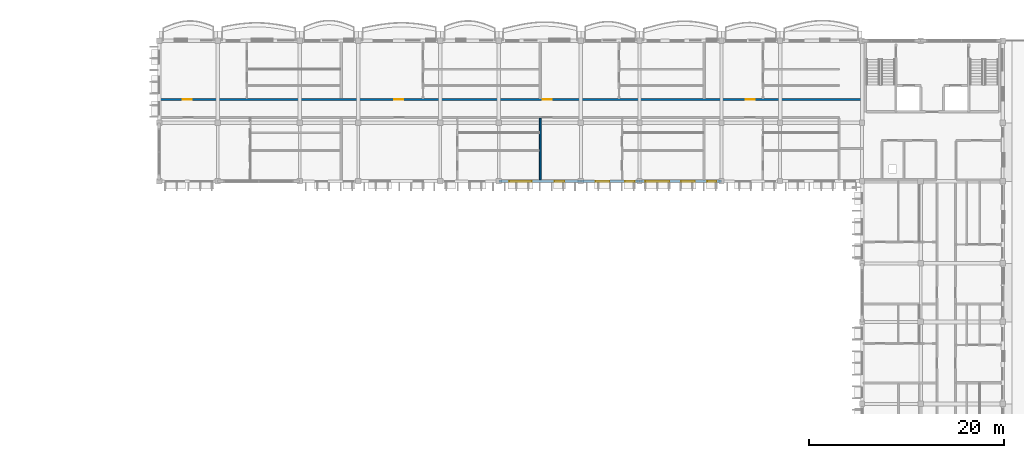
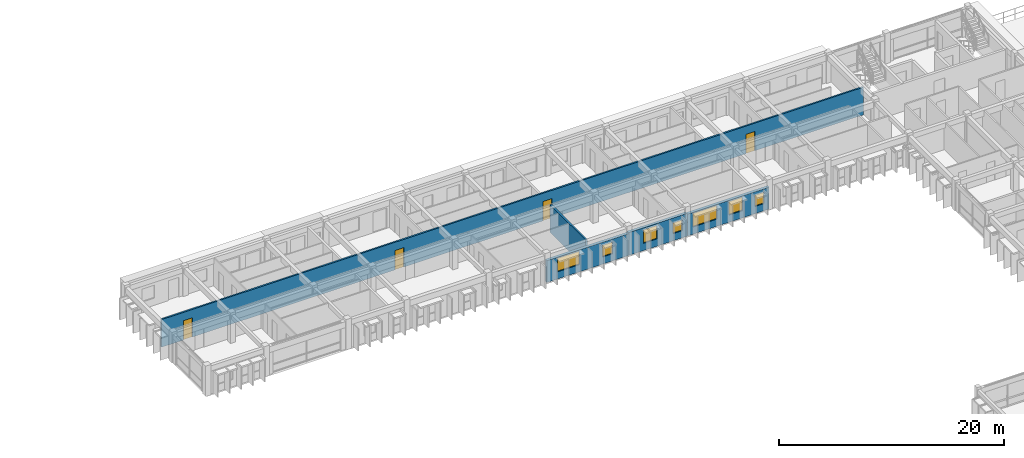
# One storey, part 35 of 68: 7 windows, 5 walls, 4 doors, 11 openings.
"""IFC4 building model written with IfcOpenShell, lengths in metres."""

from ifc_helpers import new_model, si_unit, direction, frame, frame_2d, origin, place, context, subcontext, project, spatial, rectangle, extrude, material, layer, layer_set, type_object, element, fill, save


model = new_model("IFC4")

# Units and contexts
model_context = context("Model", 3, precision=1e-05, world=origin(), true_north=direction((0.0, 1.0)))
body_context = subcontext(model_context, "Body", "Model", "MODEL_VIEW")
ifc_project = project(units=[si_unit("LENGTHUNIT", "METRE"), si_unit("AREAUNIT", "SQUARE_METRE"), si_unit("VOLUMEUNIT", "CUBIC_METRE"), si_unit("PLANEANGLEUNIT", "RADIAN"), si_unit("MASSUNIT", "GRAM", prefix="KILO"), si_unit("THERMODYNAMICTEMPERATUREUNIT", "KELVIN")], contexts=[model_context])

# Site, building, storey
site_placement = place(None, origin())
site = spatial("IfcSite", under=ifc_project, at=site_placement, CompositionType="ELEMENT")
building_placement = place(site_placement, origin())
building = spatial("IfcBuilding", under=site, at=building_placement, Name="Thalorik Housing Commons", CompositionType="ELEMENT")
storey_placement = place(building_placement, frame((0.0, 0.0, 24.60009765625)))
storey = spatial("IfcBuildingStorey", under=building, at=storey_placement, Name="L07", CompositionType="ELEMENT", Elevation=24.60009765625)

# Wall, openings, doors
ifc_material_1 = material(Name="Masonry fire-rated corridor wall", Category="masonry")
ifc_layer_1 = layer(ifc_material_1, 0.1650390625, Name="Masonry fire-rated corridor wall", Category="masonry")
ifc_layer_set_1 = layer_set([ifc_layer_1], Name="Masonry fire-rated corridor wall")
wall_type_1 = type_object("IfcWallType", Name="ARC-WAL-CORR-165", PredefinedType="PARTITIONING", material=ifc_layer_set_1)
wall_1_placement = place(storey_placement, frame((80.547119140625, 117.580078125, 0.0), z_axis=(0.0, 0.0, 1.0), x_axis=(1.0, 0.0, 0.0)))
wall_1 = element("IfcWall", 1, at=wall_1_placement, inside=storey, type_object=wall_type_1, Name="L07 Block B N Corridor Wall 2", PredefinedType="PARTITIONING", context=body_context, shape_type="SweptSolid", body=[
    extrude(rectangle(XDim=71.992919921875, YDim=0.1650390625, at=frame_2d((35.99658203125, 0.0))), origin(), (0.0, 0.0, 1.0), 3.0),
])
opening_1_placement = place(wall_1_placement, frame((2.261962890625, 0.0, 0.0)))
opening_1 = element("IfcOpeningElement", 2, at=opening_1_placement, cuts=wall_1, Name="Opening ID-1306", PredefinedType="OPENING", context=body_context, shape_type="SweptSolid", body=[
    extrude(rectangle(XDim=0.919921875, YDim=2.10009765625, at=frame_2d((0.4599609375, 1.050048828125))), frame((0.0, 0.092529296875, 0.0), z_axis=(0.0, -1.0, 0.0), x_axis=(1.0, 0.0, 0.0)), (0.0, 0.0, 1.0), 0.18505859375),
])
opening_2_placement = place(wall_1_placement, frame((23.94482421875, 0.0, 0.0)))
opening_2 = element("IfcOpeningElement", 3, at=opening_2_placement, cuts=wall_1, Name="Opening ID-1307", PredefinedType="OPENING", context=body_context, shape_type="SweptSolid", body=[
    extrude(rectangle(XDim=0.919921875, YDim=2.10009765625, at=frame_2d((0.4599609375, 1.050048828125))), frame((0.0, 0.092529296875, 0.0), z_axis=(0.0, -1.0, 0.0), x_axis=(1.0, 0.0, 0.0)), (0.0, 0.0, 1.0), 0.18505859375),
])
opening_3_placement = place(wall_1_placement, frame((39.133056640625, 0.0, 0.0)))
opening_3 = element("IfcOpeningElement", 4, at=opening_3_placement, cuts=wall_1, Name="Opening ID-1308", PredefinedType="OPENING", context=body_context, shape_type="SweptSolid", body=[
    extrude(rectangle(XDim=0.919921875, YDim=2.10009765625, at=frame_2d((0.4599609375, 1.050048828125))), frame((0.0, 0.092529296875, 0.0), z_axis=(0.0, -1.0, 0.0), x_axis=(1.0, 0.0, 0.0)), (0.0, 0.0, 1.0), 0.18505859375),
])
opening_4_placement = place(wall_1_placement, frame((59.92919921875, 0.0, 0.0)))
opening_4 = element("IfcOpeningElement", 5, at=opening_4_placement, cuts=wall_1, Name="Opening ID-1309", PredefinedType="OPENING", context=body_context, shape_type="SweptSolid", body=[
    extrude(rectangle(XDim=0.919921875, YDim=2.10009765625, at=frame_2d((0.4599609375, 1.050048828125))), frame((0.0, 0.092529296875, 0.0), z_axis=(0.0, -1.0, 0.0), x_axis=(1.0, 0.0, 0.0)), (0.0, 0.0, 1.0), 0.18505859375),
])
ifc_material_2 = material(Name="Solid core hardwood timber", Category="wood")
door_type = type_object("IfcDoorType", Name="ARC-DR-FD30-920", OperationType="NOTDEFINED", PredefinedType="DOOR", material=ifc_material_2)
door_1_placement = place(opening_1_placement, origin())
door_1 = element("IfcDoor", 6, at=door_1_placement, inside=storey, type_object=door_type, Name="L07 Flat BN-1B Entrance Door", OperationType="SINGLE_SWING_LEFT", OverallHeight=2.10009765625, OverallWidth=0.919921875, PredefinedType="DOOR", context=body_context, shape_type="SweptSolid", body=[
    extrude(rectangle(XDim=0.919921875, YDim=2.10009765625, at=frame_2d((0.4599609375, 1.050048828125))), frame((0.0, 0.02490234375, 0.0), z_axis=(0.0, -1.0, 0.0), x_axis=(1.0, 0.0, 0.0)), (0.0, 0.0, 1.0), 0.050048828125),
])
fill(opening_1, door_1)
door_2_placement = place(opening_2_placement, origin())
door_2 = element("IfcDoor", 7, at=door_2_placement, inside=storey, type_object=door_type, Name="L07 Flat BN-2B Entrance Door", OperationType="SINGLE_SWING_RIGHT", OverallHeight=2.10009765625, OverallWidth=0.919921875, PredefinedType="DOOR", context=body_context, shape_type="SweptSolid", body=[
    extrude(rectangle(XDim=0.919921875, YDim=2.10009765625, at=frame_2d((0.4599609375, 1.050048828125))), frame((0.0, 0.02490234375, 0.0), z_axis=(0.0, -1.0, 0.0), x_axis=(1.0, 0.0, 0.0)), (0.0, 0.0, 1.0), 0.050048828125),
])
fill(opening_2, door_2)
door_3_placement = place(opening_3_placement, origin())
door_3 = element("IfcDoor", 8, at=door_3_placement, inside=storey, type_object=door_type, Name="L07 Flat BN-3B Entrance Door", OperationType="SINGLE_SWING_LEFT", OverallHeight=2.10009765625, OverallWidth=0.919921875, PredefinedType="DOOR", context=body_context, shape_type="SweptSolid", body=[
    extrude(rectangle(XDim=0.919921875, YDim=2.10009765625, at=frame_2d((0.4599609375, 1.050048828125))), frame((0.0, 0.02490234375, 0.0), z_axis=(0.0, -1.0, 0.0), x_axis=(1.0, 0.0, 0.0)), (0.0, 0.0, 1.0), 0.050048828125),
])
fill(opening_3, door_3)
door_4_placement = place(opening_4_placement, origin())
door_4 = element("IfcDoor", 9, at=door_4_placement, inside=storey, type_object=door_type, Name="L07 Flat BN-4B Entrance Door", OperationType="SINGLE_SWING_RIGHT", OverallHeight=2.10009765625, OverallWidth=0.919921875, PredefinedType="DOOR", context=body_context, shape_type="SweptSolid", body=[
    extrude(rectangle(XDim=0.919921875, YDim=2.10009765625, at=frame_2d((0.4599609375, 1.050048828125))), frame((0.0, 0.02490234375, 0.0), z_axis=(0.0, -1.0, 0.0), x_axis=(1.0, 0.0, 0.0)), (0.0, 0.0, 1.0), 0.050048828125),
])
fill(opening_4, door_4)

# Wall, openings, windows
ifc_material_3 = material(Name="White precast concrete C40/50", Category="concrete")
ifc_layer_2 = layer(ifc_material_3, 0.2900390625, Name="White precast concrete C40/50", Category="concrete")
ifc_layer_set_2 = layer_set([ifc_layer_2], Name="White precast concrete C40/50")
wall_type_2 = type_object("IfcWallType", Name="ARC-WAL-EXT-290", PredefinedType="STANDARD", material=ifc_layer_set_2)
wall_2_placement = place(storey_placement, frame((115.199951171875, 109.199951171875, 0.0), z_axis=(0.0, 0.0, 1.0), x_axis=(1.0, 0.0, 0.0)))
wall_2 = element("IfcWall", 10, at=wall_2_placement, inside=storey, type_object=wall_type_2, Name="L07 Exterior Wall WAL-EXT-L07-B-0656", PredefinedType="STANDARD", context=body_context, shape_type="SweptSolid", body=[
    extrude(rectangle(XDim=8.400146484375, YDim=0.2900390625, at=frame_2d((4.2001953125, 0.0))), origin(), (0.0, 0.0, 1.0), 2.375),
])
opening_5_placement = place(wall_2_placement, frame((1.070068359375, 0.0, 0.780029296875)))
opening_5 = element("IfcOpeningElement", 11, at=opening_5_placement, cuts=wall_2, Name="Opening W-67", PredefinedType="OPENING", context=body_context, shape_type="SweptSolid", body=[
    extrude(rectangle(XDim=2.280029296875, YDim=1.4599609375, at=frame_2d((1.14013671875, 0.72998046875))), frame((0.0, 0.155029296875, 0.0), z_axis=(0.0, -1.0, 0.0), x_axis=(1.0, 0.0, 0.0)), (0.0, 0.0, 1.0), 0.31005859375),
])
opening_6_placement = place(wall_2_placement, frame((5.719970703125, 0.0, 0.780029296875)))
opening_6 = element("IfcOpeningElement", 12, at=opening_6_placement, cuts=wall_2, Name="Opening W-02", PredefinedType="OPENING", context=body_context, shape_type="SweptSolid", body=[
    extrude(rectangle(XDim=1.0, YDim=1.25, at=frame_2d((0.5, 0.625))), frame((0.0, 0.155029296875, 0.0), z_axis=(0.0, -1.0, 0.0), x_axis=(1.0, 0.0, 0.0)), (0.0, 0.0, 1.0), 0.31005859375),
])
ifc_material_4 = material(Name="Anodised aluminium and solar-control low-E glass", Category="aluminium")
window_type_1 = type_object("IfcWindowType", Name="ARC-WIN-02", PartitioningType="SINGLE_PANEL", PredefinedType="WINDOW", material=ifc_material_4)
window_1_placement = place(opening_6_placement, origin())
window_1 = element("IfcWindow", 13, at=window_1_placement, inside=storey, type_object=window_type_1, Name="L07 Facade Window 1198", OverallHeight=1.25, OverallWidth=1.0, PartitioningType="SINGLE_PANEL", PredefinedType="WINDOW", context=body_context, shape_type="SweptSolid", body=[
    extrude(rectangle(XDim=1.0, YDim=1.25, at=frame_2d((0.5, 0.625))), frame((0.0, 0.030029296875, 0.0), z_axis=(0.0, -1.0, 0.0), x_axis=(1.0, 0.0, 0.0)), (0.0, 0.0, 1.0), 0.06005859375),
])
fill(opening_6, window_1)
window_type_2 = type_object("IfcWindowType", Name="ARC-WIN-67", PartitioningType="DOUBLE_PANEL_VERTICAL", PredefinedType="WINDOW", material=ifc_material_4)
window_2_placement = place(opening_5_placement, origin())
window_2 = element("IfcWindow", 14, at=window_2_placement, inside=storey, type_object=window_type_2, Name="L07 Facade Window 1197", OverallHeight=1.4599609375, OverallWidth=2.280029296875, PartitioningType="DOUBLE_PANEL_VERTICAL", PredefinedType="WINDOW", context=body_context, shape_type="SweptSolid", body=[
    extrude(rectangle(XDim=2.280029296875, YDim=1.4599609375, at=frame_2d((1.14013671875, 0.72998046875))), frame((0.0, 0.030029296875, 0.0), z_axis=(0.0, -1.0, 0.0), x_axis=(1.0, 0.0, 0.0)), (0.0, 0.0, 1.0), 0.06005859375),
])
fill(opening_5, window_2)

wall_3_placement = place(storey_placement, frame((123.60009765625, 109.199951171875, 0.0), z_axis=(0.0, 0.0, 1.0), x_axis=(1.0, 0.0, 0.0)))
wall_3 = element("IfcWall", 15, at=wall_3_placement, inside=storey, type_object=wall_type_2, Name="L07 Exterior Wall WAL-EXT-L07-B-0657", PredefinedType="STANDARD", context=body_context, shape_type="SweptSolid", body=[
    extrude(rectangle(XDim=6.0, YDim=0.2900390625, at=frame_2d((3.0, 0.0))), origin(), (0.0, 0.0, 1.0), 2.474853515625),
])
opening_7_placement = place(wall_3_placement, frame((1.507568359375, 0.0, 0.780029296875)))
opening_7 = element("IfcOpeningElement", 16, at=opening_7_placement, cuts=wall_3, Name="Opening W-08", PredefinedType="OPENING", context=body_context, shape_type="SweptSolid", body=[
    extrude(rectangle(XDim=1.39990234375, YDim=1.449951171875, at=frame_2d((0.699951171875, 0.72509765625))), frame((0.0, 0.155029296875, 0.0), z_axis=(0.0, -1.0, 0.0), x_axis=(1.0, 0.0, 0.0)), (0.0, 0.0, 1.0), 0.31005859375),
])
opening_8_placement = place(wall_3_placement, frame((4.54248046875, 0.0, 0.780029296875)))
opening_8 = element("IfcOpeningElement", 17, at=opening_8_placement, cuts=wall_3, Name="Opening W-43", PredefinedType="OPENING", context=body_context, shape_type="SweptSolid", body=[
    extrude(rectangle(XDim=0.949951171875, YDim=1.14990234375, at=frame_2d((0.47509765625, 0.574951171875))), frame((0.0, 0.155029296875, 0.0), z_axis=(0.0, -1.0, 0.0), x_axis=(1.0, 0.0, 0.0)), (0.0, 0.0, 1.0), 0.31005859375),
])
window_type_3 = type_object("IfcWindowType", Name="ARC-WIN-08", PartitioningType="SINGLE_PANEL", PredefinedType="WINDOW", material=ifc_material_4)
window_3_placement = place(opening_7_placement, origin())
window_3 = element("IfcWindow", 18, at=window_3_placement, inside=storey, type_object=window_type_3, Name="L07 Facade Window 1199", OverallHeight=1.449951171875, OverallWidth=1.39990234375, PartitioningType="SINGLE_PANEL", PredefinedType="WINDOW", context=body_context, shape_type="SweptSolid", body=[
    extrude(rectangle(XDim=1.39990234375, YDim=1.449951171875, at=frame_2d((0.699951171875, 0.72509765625))), frame((0.0, 0.030029296875, 0.0), z_axis=(0.0, -1.0, 0.0), x_axis=(1.0, 0.0, 0.0)), (0.0, 0.0, 1.0), 0.06005859375),
])
fill(opening_7, window_3)
window_type_4 = type_object("IfcWindowType", Name="ARC-WIN-43", PartitioningType="SINGLE_PANEL", PredefinedType="WINDOW", material=ifc_material_4)
window_4_placement = place(opening_8_placement, origin())
window_4 = element("IfcWindow", 19, at=window_4_placement, inside=storey, type_object=window_type_4, Name="L07 Facade Window 1200", OverallHeight=1.14990234375, OverallWidth=0.949951171875, PartitioningType="SINGLE_PANEL", PredefinedType="WINDOW", context=body_context, shape_type="SweptSolid", body=[
    extrude(rectangle(XDim=0.949951171875, YDim=1.14990234375, at=frame_2d((0.47509765625, 0.574951171875))), frame((0.0, 0.030029296875, 0.0), z_axis=(0.0, -1.0, 0.0), x_axis=(1.0, 0.0, 0.0)), (0.0, 0.0, 1.0), 0.06005859375),
])
fill(opening_8, window_4)

wall_4_placement = place(storey_placement, frame((129.60009765625, 109.199951171875, 0.0), z_axis=(0.0, 0.0, 1.0), x_axis=(1.0, 0.0, 0.0)))
wall_4 = element("IfcWall", 20, at=wall_4_placement, inside=storey, type_object=wall_type_2, Name="L07 Exterior Wall WAL-EXT-L07-B-0658", PredefinedType="STANDARD", context=body_context, shape_type="SweptSolid", body=[
    extrude(rectangle(XDim=8.39990234375, YDim=0.2900390625, at=frame_2d((4.199951171875, 0.0))), origin(), (0.0, 0.0, 1.0), 2.375),
])
opening_9_placement = place(wall_4_placement, frame((0.592529296875, 0.0, 0.780029296875)))
opening_9 = element("IfcOpeningElement", 21, at=opening_9_placement, cuts=wall_4, Name="Opening W-71", PredefinedType="OPENING", context=body_context, shape_type="SweptSolid", body=[
    extrude(rectangle(XDim=2.47998046875, YDim=1.4599609375, at=frame_2d((1.239990234375, 0.72998046875))), frame((0.0, 0.155029296875, 0.0), z_axis=(0.0, -1.0, 0.0), x_axis=(1.0, 0.0, 0.0)), (0.0, 0.0, 1.0), 0.31005859375),
])
opening_10_placement = place(wall_4_placement, frame((4.277587890625, 0.0, 0.780029296875)))
opening_10 = element("IfcOpeningElement", 22, at=opening_10_placement, cuts=wall_4, Name="Opening W-08", PredefinedType="OPENING", context=body_context, shape_type="SweptSolid", body=[
    extrude(rectangle(XDim=1.39990234375, YDim=1.449951171875, at=frame_2d((0.699951171875, 0.72509765625))), frame((0.0, 0.155029296875, 0.0), z_axis=(0.0, -1.0, 0.0), x_axis=(1.0, 0.0, 0.0)), (0.0, 0.0, 1.0), 0.31005859375),
])
opening_11_placement = place(wall_4_placement, frame((6.965087890625, 0.0, 0.780029296875)))
opening_11 = element("IfcOpeningElement", 23, at=opening_11_placement, cuts=wall_4, Name="Opening W-01", PredefinedType="OPENING", context=body_context, shape_type="SweptSolid", body=[
    extrude(rectangle(XDim=0.89990234375, YDim=1.199951171875, at=frame_2d((0.449951171875, 0.60009765625))), frame((0.0, 0.155029296875, 0.0), z_axis=(0.0, -1.0, 0.0), x_axis=(1.0, 0.0, 0.0)), (0.0, 0.0, 1.0), 0.31005859375),
])
window_type_5 = type_object("IfcWindowType", Name="ARC-WIN-01", PartitioningType="SINGLE_PANEL", PredefinedType="WINDOW", material=ifc_material_4)
window_5_placement = place(opening_11_placement, origin())
window_5 = element("IfcWindow", 24, at=window_5_placement, inside=storey, type_object=window_type_5, Name="L07 Facade Window 1203", OverallHeight=1.199951171875, OverallWidth=0.89990234375, PartitioningType="SINGLE_PANEL", PredefinedType="WINDOW", context=body_context, shape_type="SweptSolid", body=[
    extrude(rectangle(XDim=0.89990234375, YDim=1.199951171875, at=frame_2d((0.449951171875, 0.60009765625))), frame((0.0, 0.030029296875, 0.0), z_axis=(0.0, -1.0, 0.0), x_axis=(1.0, 0.0, 0.0)), (0.0, 0.0, 1.0), 0.06005859375),
])
fill(opening_11, window_5)
window_6_placement = place(opening_10_placement, origin())
window_6 = element("IfcWindow", 25, at=window_6_placement, inside=storey, type_object=window_type_3, Name="L07 Facade Window 1202", OverallHeight=1.449951171875, OverallWidth=1.39990234375, PartitioningType="SINGLE_PANEL", PredefinedType="WINDOW", context=body_context, shape_type="SweptSolid", body=[
    extrude(rectangle(XDim=1.39990234375, YDim=1.449951171875, at=frame_2d((0.699951171875, 0.72509765625))), frame((0.0, 0.030029296875, 0.0), z_axis=(0.0, -1.0, 0.0), x_axis=(1.0, 0.0, 0.0)), (0.0, 0.0, 1.0), 0.06005859375),
])
fill(opening_10, window_6)
window_type_6 = type_object("IfcWindowType", Name="ARC-WIN-71", PartitioningType="DOUBLE_PANEL_VERTICAL", PredefinedType="WINDOW", material=ifc_material_4)
window_7_placement = place(opening_9_placement, origin())
window_7 = element("IfcWindow", 26, at=window_7_placement, inside=storey, type_object=window_type_6, Name="L07 Facade Window 1201", OverallHeight=1.4599609375, OverallWidth=2.47998046875, PartitioningType="DOUBLE_PANEL_VERTICAL", PredefinedType="WINDOW", context=body_context, shape_type="SweptSolid", body=[
    extrude(rectangle(XDim=2.47998046875, YDim=1.4599609375, at=frame_2d((1.239990234375, 0.72998046875))), frame((0.0, 0.030029296875, 0.0), z_axis=(0.0, -1.0, 0.0), x_axis=(1.0, 0.0, 0.0)), (0.0, 0.0, 1.0), 0.06005859375),
])
fill(opening_9, window_7)

# Wall
ifc_material_5 = material(Name="Masonry acoustic blockwork wall", Category="masonry")
ifc_layer_3 = layer(ifc_material_5, 0.18505859375, Name="Masonry acoustic blockwork wall", Category="masonry")
ifc_layer_set_3 = layer_set([ifc_layer_3], Name="Masonry acoustic blockwork wall")
wall_type_3 = type_object("IfcWallType", Name="ARC-WAL-PARTY-185", PredefinedType="PARTITIONING", material=ifc_layer_set_3)
wall_5_placement = place(storey_placement, frame((119.429931640625, 109.346923828125, 0.0), z_axis=(0.0, 0.0, 1.0), x_axis=(0.0, 1.0, 0.0)))
element("IfcWall", 27, at=wall_5_placement, inside=storey, type_object=wall_type_3, Name="L07 Inter-Tenancy Wall 2A", PredefinedType="PARTITIONING", context=body_context, shape_type="SweptSolid", body=[
    extrude(rectangle(XDim=6.296142578125, YDim=0.18505859375, at=frame_2d((3.14794921875, 0.0))), origin(), (0.0, 0.0, 1.0), 3.0),
])

save(model, "model.ifc")
